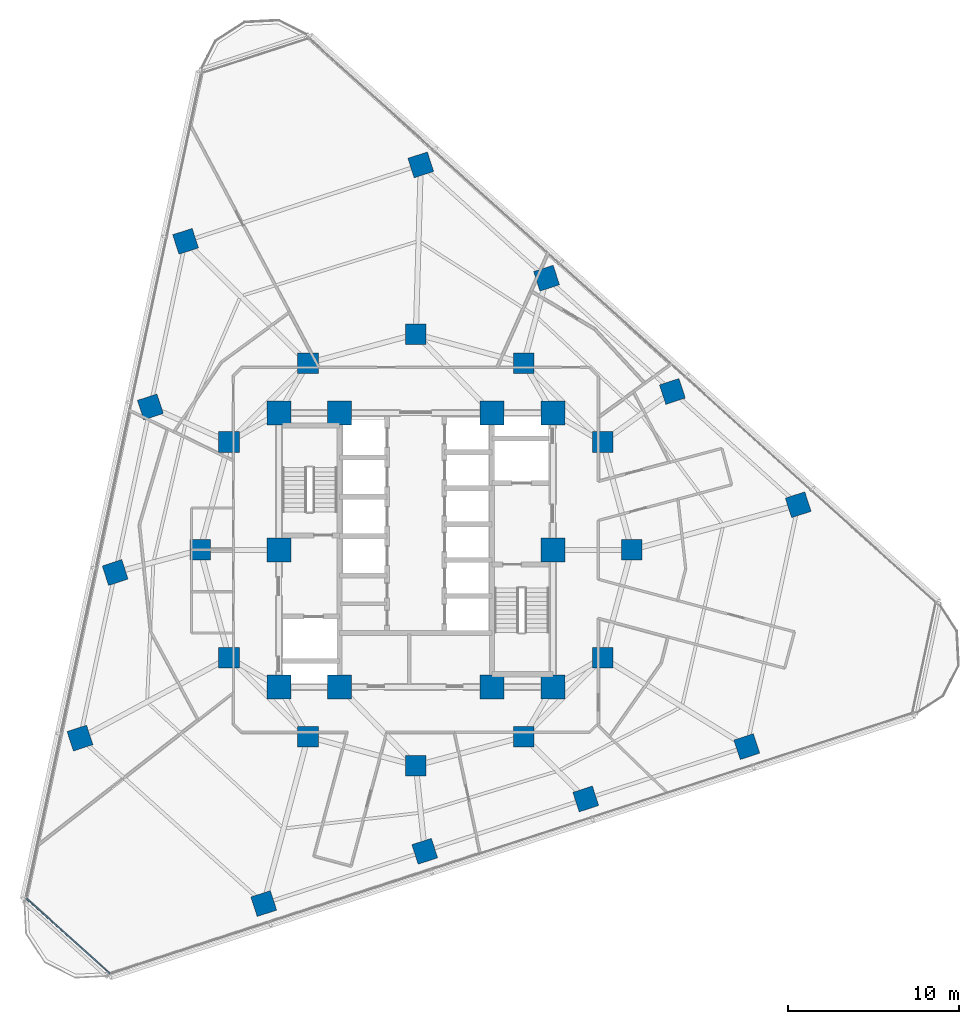
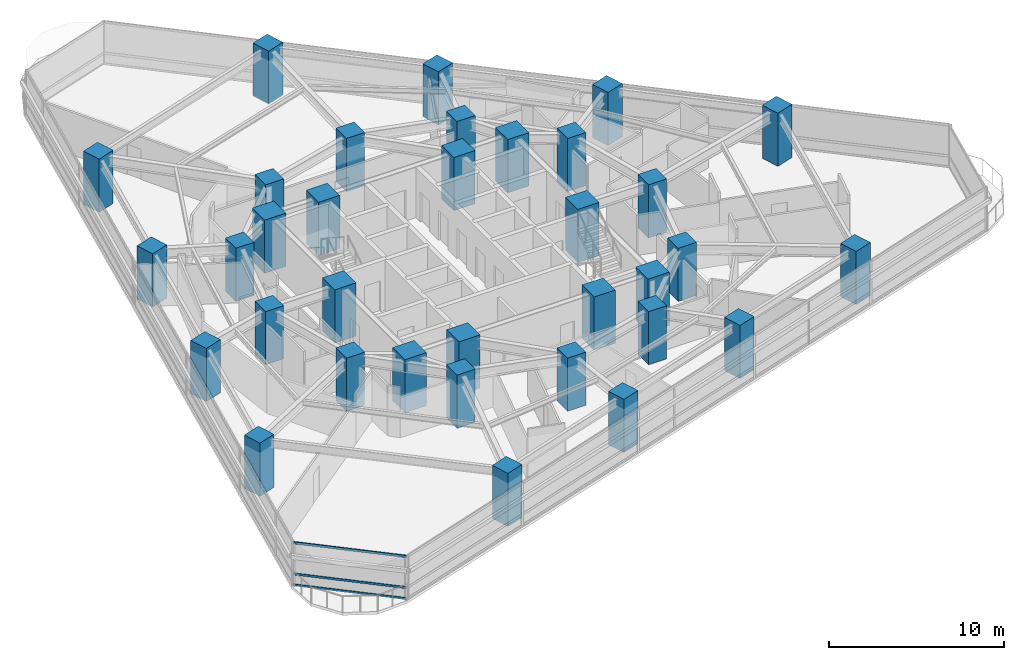
# One storey, part 1 of 13: 34 columns, 3 members, 1 element without a shape of its own.
"""IFC4 building model written with IfcOpenShell, lengths in metres."""

from ifc_helpers import new_model, si_unit, direction, frame, origin, origin_2d, place, context, subcontext, project, spatial, rectangle, extrude, material, layer, layer_set, material_profile, profile_set, type_object, element, aggregate, save


model = new_model("IFC4")

# Units and contexts
model_context = context("Model", 3, precision=1e-05, world=origin(), true_north=direction((0.0, 1.0)))
body_context = subcontext(model_context, "Body", "Model", "MODEL_VIEW")
ifc_project = project(units=[si_unit("LENGTHUNIT", "METRE"), si_unit("AREAUNIT", "SQUARE_METRE"), si_unit("VOLUMEUNIT", "CUBIC_METRE"), si_unit("PLANEANGLEUNIT", "RADIAN"), si_unit("MASSUNIT", "GRAM", prefix="KILO")], contexts=[model_context])

# Site, building, storey
site_placement = place(None, origin())
site = spatial("IfcSite", under=ifc_project, at=site_placement, CompositionType="ELEMENT")
building_placement = place(site_placement, origin())
building = spatial("IfcBuilding", under=site, at=building_placement, Name="Terralouvre Media Tower", CompositionType="ELEMENT")
storey_placement = place(building_placement, frame((0.0, 0.0, 101.39990234375)))
storey = spatial("IfcBuildingStorey", under=building, at=storey_placement, Name="L25", CompositionType="ELEMENT", Elevation=101.39990234375)

# Columns
ifc_material_1 = material(Name="Concrete C60/75", Category="concrete")
ifc_material_profile_1 = material_profile(ifc_material_1, rectangle(XDim=1.199951171875, YDim=1.199951171875, at=origin_2d()), Name="RC 1200x1200")
ifc_profile_set_1 = profile_set([ifc_material_profile_1], Name="Concrete C60/75")
column_type_1 = type_object("IfcColumnType", Name="Structural Column C-RC1200 (RC 1200x1200)", PredefinedType="COLUMN", material=ifc_profile_set_1)
for number, where, z_axis, x_axis, name in (
    (1, (12.60009765625, 0.0, 0.0), (0.0, 0.0, 1.0), (1.0, 0.0, 0.0), "L25 Mega-Frame Column MC01"),
    (2, (10.911865234375, 6.300048828125, 0.0), (0.0, 0.0, 1.0), (1.0, 0.0, 0.0), "L25 Mega-Frame Column MC02"),
    (3, (6.300048828125, 10.911865234375, 0.0), (0.0, 0.0, 1.0), (1.0, 0.0, 0.0), "L25 Mega-Frame Column MC03"),
    (4, (0.0, 12.60009765625, 0.0), (0.0, 0.0, 1.0), (1.0, 0.0, 0.0), "L25 Mega-Frame Column MC04"),
    (5, (-6.300048828125, 10.911865234375, 0.0), (0.0, 0.0, 1.0), (1.0, 0.0, 0.0), "L25 Mega-Frame Column MC05"),
    (6, (-10.911865234375, 6.300048828125, 0.0), (0.0, 0.0, 1.0), (1.0, 0.0, 0.0), "L25 Mega-Frame Column MC06"),
    (7, (-12.60009765625, 0.0, 0.0), (0.0, 0.0, 1.0), (1.0, 0.0, 0.0), "L25 Mega-Frame Column MC07"),
    (8, (-10.911865234375, -6.300048828125, 0.0), (0.0, 0.0, 1.0), (1.0, 0.0, 0.0), "L25 Mega-Frame Column MC08"),
    (9, (-6.300048828125, -10.911865234375, 0.0), (0.0, 0.0, 1.0), (1.0, 0.0, 0.0), "L25 Mega-Frame Column MC09"),
    (10, (0.0, -12.60009765625, 0.0), (0.0, 0.0, 1.0), (1.0, 0.0, 0.0), "L25 Mega-Frame Column MC10"),
    (11, (6.300048828125, -10.911865234375, 0.0), (0.0, 0.0, 1.0), (1.0, 0.0, 0.0), "L25 Mega-Frame Column MC11"),
    (12, (10.911865234375, -6.300048828125, 0.0), (0.0, 0.0, 1.0), (1.0, 0.0, 0.0), "L25 Mega-Frame Column MC12"),
    (13, (-8.883056640625, -20.658203125, 0.0), (0.0, 0.0, 1.0), (0.951056516295, 0.309016994375, 0.0), "L25 Perimeter Mega-Column PC11"),
    (14, (0.52099609375, -17.6025390625, 0.0), (0.0, 0.0, 1.0), (0.951056516295, 0.309016994375, 0.0), "L25 Perimeter Mega-Column PC12"),
    (15, (9.925048828125, -14.547119140625, 0.0), (0.0, 0.0, 1.0), (0.951056516295, 0.309016994375, 0.0), "L25 Perimeter Mega-Column PC13"),
    (16, (19.3291015625, -11.491455078125, 0.0), (0.0, 0.0, 1.0), (0.951056516295, 0.309016994375, 0.0), "L25 Perimeter Mega-Column PC14"),
    (17, (22.33203125, 2.63623046875, 0.0), (0.0, 0.0, 1.0), (0.951056516295, 0.309016994375, 0.0), "L25 Perimeter Mega-Column PC21"),
    (18, (14.98388671875, 9.25244140625, 0.0), (0.0, 0.0, 1.0), (0.951056516295, 0.309016994375, 0.0), "L25 Perimeter Mega-Column PC22"),
    (19, (7.635498046875, 15.868896484375, 0.0), (0.0, 0.0, 1.0), (0.951056516295, 0.309016994375, 0.0), "L25 Perimeter Mega-Column PC23"),
    (20, (0.287353515625, 22.4853515625, 0.0), (0.0, 0.0, 1.0), (0.951056516295, 0.309016994375, 0.0), "L25 Perimeter Mega-Column PC24"),
    (21, (-13.448974609375, 18.02197265625, 0.0), (0.0, 0.0, 1.0), (0.951056516295, 0.309016994375, 0.0), "L25 Perimeter Mega-Column PC31"),
    (22, (-15.5048828125, 8.35009765625, 0.0), (0.0, 0.0, 1.0), (0.951056516295, 0.309016994375, 0.0), "L25 Perimeter Mega-Column PC32"),
    (23, (-17.560791015625, -1.32177734375, 0.0), (0.0, 0.0, 1.0), (0.951056516295, 0.309016994375, 0.0), "L25 Perimeter Mega-Column PC33"),
    (24, (-19.616455078125, -10.99365234375, 0.0), (0.0, 0.0, 1.0), (0.951056516295, 0.309016994375, 0.0), "L25 Perimeter Mega-Column PC34"),
):
    element("IfcColumn", number, at=place(storey_placement, frame(where, z_axis=z_axis, x_axis=x_axis)), inside=storey, type_object=column_type_1, Name=name, PredefinedType="COLUMN", context=body_context, shape_type="SweptSolid", body=[
        extrude(rectangle(XDim=1.199951171875, YDim=1.199951171875, at=origin_2d()), origin(), (0.0, 0.0, 1.0), 3.7001953125),
    ])
ifc_material_2 = material(Name="Concrete C60/75", Category="concrete")
ifc_material_profile_2 = material_profile(ifc_material_2, rectangle(XDim=1.39990234375, YDim=1.39990234375, at=origin_2d()), Name="RC 1400x1400")
ifc_profile_set_2 = profile_set([ifc_material_profile_2], Name="Concrete C60/75")
column_type_2 = type_object("IfcColumnType", Name="Structural Column C-RC1400 (RC 1400x1400)", PredefinedType="COLUMN", material=ifc_profile_set_2)
for number, where, z_axis, x_axis, name in (
    (25, (-8.0, -8.0, 0.0), (0.0, 0.0, 1.0), (1.0, 0.0, 0.0), "L25 Core Pilaster Column CP1"),
    (26, (-4.449951171875, -8.0, 0.0), (0.0, 0.0, 1.0), (1.0, 0.0, 0.0), "L25 Core Pilaster Column CP2"),
    (27, (4.449951171875, -8.0, 0.0), (0.0, 0.0, 1.0), (1.0, 0.0, 0.0), "L25 Core Pilaster Column CP10"),
    (28, (8.0, -8.0, 0.0), (0.0, 0.0, 1.0), (1.0, 0.0, 0.0), "L25 Core Pilaster Column CP3"),
    (29, (8.0, 0.0, 0.0), (0.0, 0.0, 1.0), (1.0, 0.0, 0.0), "L25 Core Pilaster Column CP4"),
    (30, (8.0, 8.0, 0.0), (0.0, 0.0, 1.0), (1.0, 0.0, 0.0), "L25 Core Pilaster Column CP5"),
    (31, (4.449951171875, 8.0, 0.0), (0.0, 0.0, 1.0), (1.0, 0.0, 0.0), "L25 Core Pilaster Column CP9"),
    (32, (-4.449951171875, 8.0, 0.0), (0.0, 0.0, 1.0), (1.0, 0.0, 0.0), "L25 Core Pilaster Column CP6"),
    (33, (-8.0, 8.0, 0.0), (0.0, 0.0, 1.0), (1.0, 0.0, 0.0), "L25 Core Pilaster Column CP7"),
    (34, (-8.0, 0.0, 0.0), (0.0, 0.0, 1.0), (1.0, 0.0, 0.0), "L25 Core Pilaster Column CP8"),
):
    element("IfcColumn", number, at=place(storey_placement, frame(where, z_axis=z_axis, x_axis=x_axis)), inside=storey, type_object=column_type_2, Name=name, PredefinedType="COLUMN", context=body_context, shape_type="SweptSolid", body=[
        extrude(rectangle(XDim=1.39990234375, YDim=1.39990234375, at=origin_2d()), origin(), (0.0, 0.0, 1.0), 3.7001953125),
    ])

# Curtain wall, members
ifc_material_3 = material(Name="Low-iron laminated double glazing with solar-control coating", Category="glass")
ifc_layer = layer(ifc_material_3, 0.1650390625, Name="Rounded Wind-Corner Curved Glazing CW-04")
ifc_layer_set = layer_set([ifc_layer], Name="Low-iron laminated double glazing with solar-control coating")
curtain_wall_type = type_object("IfcCurtainWallType", Name="Rounded Wind-Corner Curved Glazing CW-04", PredefinedType="NOTDEFINED", material=ifc_layer_set)
curtain_wall_placement = place(storey_placement, origin())
curtain_wall = element("IfcCurtainWall", 35, at=curtain_wall_placement, inside=storey, type_object=curtain_wall_type, Name="L25 Rounded Wind-Corner Curtain Wall C0", PredefinedType="NOTDEFINED")
ifc_material_4 = material(Name="Anodised extruded aluminium 6063-T6", Category="aluminium")
ifc_material_profile_3 = material_profile(ifc_material_4, rectangle(XDim=0.074951171875, YDim=0.14990234375, at=origin_2d()), Name="ALU 75x150")
ifc_profile_set_3 = profile_set([ifc_material_profile_3], Name="Anodised extruded aluminium 6063-T6")
member_type = type_object("IfcMemberType", Name="Curtain-Wall Horizontal Transom TR-150", PredefinedType="USERDEFINED", material=ifc_profile_set_3)
member_1_placement = place(storey_placement, frame((-22.74560546875, -20.351806640625, 0.03759765625), z_axis=(0.743146319996, -0.669128946524, 0.0), x_axis=(0.669128946524, 0.743146319996, 0.0)))
member_1 = element("IfcMember", 36, at=member_1_placement, type_object=member_type, Name="CW-04 transom 1.1", ObjectType="TRANSOM", PredefinedType="USERDEFINED", context=body_context, shape_type="SweptSolid", body=[
    extrude(rectangle(XDim=0.074951171875, YDim=0.14990234375, at=origin_2d()), origin(), (0.0, 0.0, 1.0), 6.570556640625),
])
member_2_placement = place(storey_placement, frame((-22.74560546875, -20.351806640625, 0.800048828125), z_axis=(0.743146319996, -0.669128946524, 0.0), x_axis=(0.669128946524, 0.743146319996, 0.0)))
member_2 = element("IfcMember", 37, at=member_2_placement, type_object=member_type, Name="CW-04 transom 1.2", ObjectType="TRANSOM", PredefinedType="USERDEFINED", context=body_context, shape_type="SweptSolid", body=[
    extrude(rectangle(XDim=0.074951171875, YDim=0.14990234375, at=origin_2d()), origin(), (0.0, 0.0, 1.0), 6.570556640625),
])
member_3_placement = place(storey_placement, frame((-22.74560546875, -20.351806640625, 2.962646484375), z_axis=(0.743146319996, -0.669128946524, 0.0), x_axis=(0.669128946524, 0.743146319996, 0.0)))
member_3 = element("IfcMember", 38, at=member_3_placement, type_object=member_type, Name="CW-04 transom 1.3", ObjectType="TRANSOM", PredefinedType="USERDEFINED", context=body_context, shape_type="SweptSolid", body=[
    extrude(rectangle(XDim=0.074951171875, YDim=0.14990234375, at=origin_2d()), origin(), (0.0, 0.0, 1.0), 6.570556640625),
])
aggregate(curtain_wall, [member_1, member_2, member_3])

save(model, "model.ifc")
